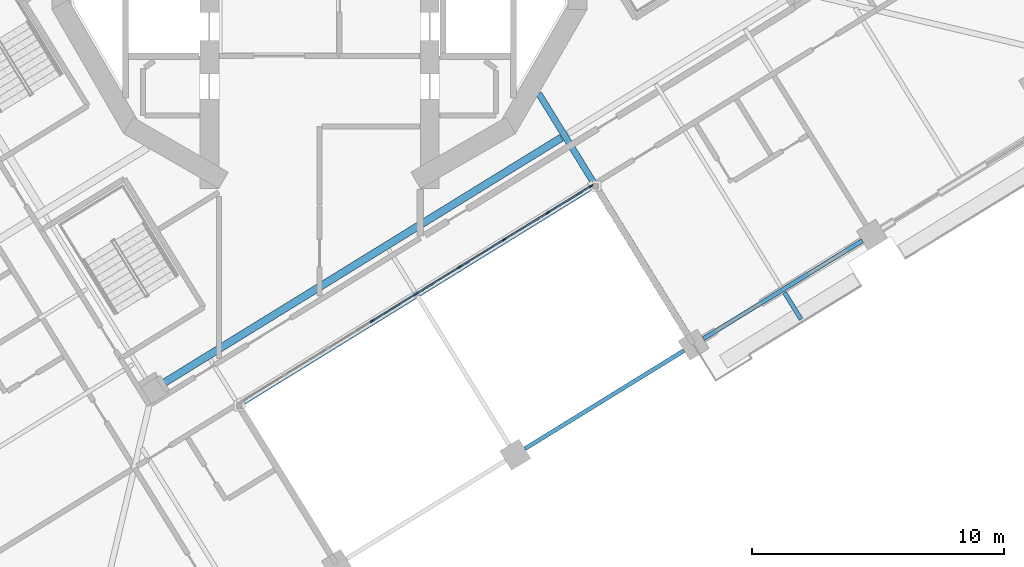
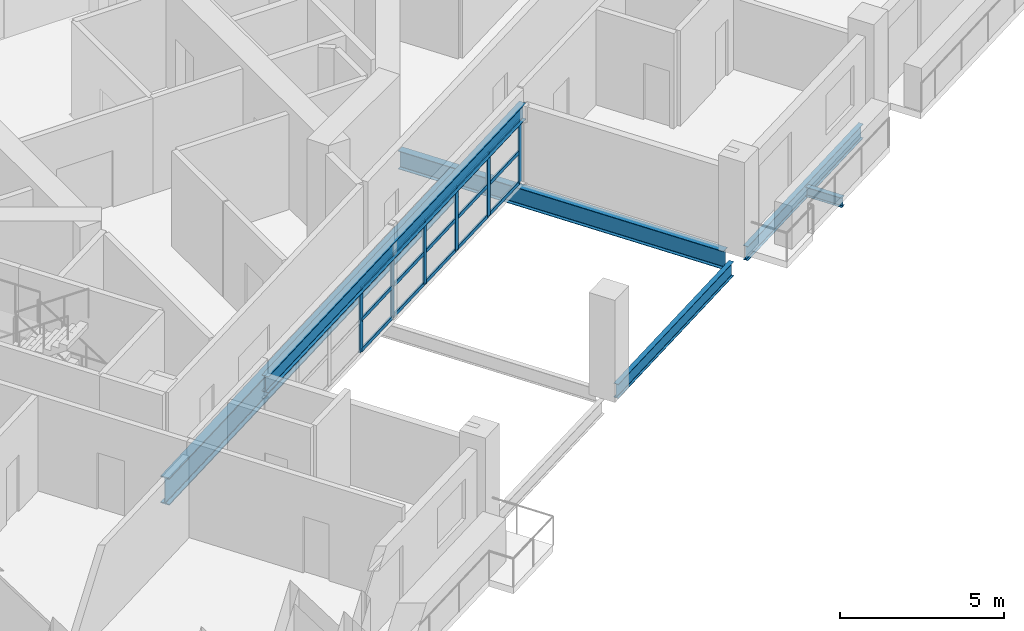
# One storey, part 4 of 22: 21 members, 6 beams, 1 element without a shape of its own.
"""IFC4 building model written with IfcOpenShell, lengths in metres."""

from ifc_helpers import new_model, si_unit, direction, frame, origin, origin_2d, place, context, subcontext, project, spatial, rectangle, i_section, extrude, material, material_profile, profile_set, type_object, element, aggregate, save


model = new_model("IFC4")

# Units and contexts
model_context = context("Model", 3, precision=1e-05, world=origin(), true_north=direction((0.0, 1.0)))
body_context = subcontext(model_context, "Body", "Model", "MODEL_VIEW")
ifc_project = project(units=[si_unit("LENGTHUNIT", "METRE"), si_unit("AREAUNIT", "SQUARE_METRE"), si_unit("VOLUMEUNIT", "CUBIC_METRE"), si_unit("PLANEANGLEUNIT", "RADIAN"), si_unit("MASSUNIT", "GRAM", prefix="KILO")], contexts=[model_context])

# Site, building, storey
site_placement = place(None, origin())
site = spatial("IfcSite", under=ifc_project, at=site_placement, CompositionType="ELEMENT")
building_placement = place(site_placement, origin())
building = spatial("IfcBuilding", under=site, at=building_placement, Name="Cantera Rosa Tower", CompositionType="ELEMENT")
storey_placement = place(building_placement, frame((0.0, 0.0, 174.199951171875)))
storey = spatial("IfcBuildingStorey", under=building, at=storey_placement, Name="L38", CompositionType="ELEMENT", Elevation=174.199951171875)

# Curtain wall, members
ifc_material_1 = material(Name="Aluminium frame with clear glass", Category="aluminium")
curtain_wall_type = type_object("IfcCurtainWallType", Name="CW1 TERRACE POCKET GLAZING", PredefinedType="NOTDEFINED", material=ifc_material_1)
curtain_wall_placement = place(storey_placement, origin())
curtain_wall = element("IfcCurtainWall", 1, at=curtain_wall_placement, inside=storey, type_object=curtain_wall_type, Name="CW1 CW1", PredefinedType="NOTDEFINED")
ifc_material_2 = material(Name="Anodised bronze aluminium", Category="aluminium")
ifc_material_profile_1 = material_profile(ifc_material_2, rectangle(XDim=0.06005859375, YDim=0.179931640625, at=origin_2d()), Name="CW-MULLION 60x180 POCKET")
ifc_profile_set_1 = profile_set([ifc_material_profile_1], Name="Anodised bronze aluminium")
member_type_1 = type_object("IfcMemberType", Name="CW-MULLION 60x180 POCKET", PredefinedType="MULLION", material=ifc_profile_set_1)
member_1_placement = place(storey_placement, frame((2.091552734375, -15.217529296875, 0.0), z_axis=(0.0, 0.0, 1.0), x_axis=(-0.524976580354, 0.851116672425, 0.0)))
member_1 = element("IfcMember", 2, at=member_1_placement, type_object=member_type_1, Name="CW1 mullion 4", PredefinedType="MULLION", context=body_context, shape_type="SweptSolid", body=[
    extrude(rectangle(XDim=0.06005859375, YDim=0.179931640625, at=origin_2d()), origin(), (0.0, 0.0, 1.0), 2.338134765625),
])
member_2_placement = place(storey_placement, frame((3.835205078125, -14.14208984375, 0.0), z_axis=(0.0, 0.0, 1.0), x_axis=(-0.524976580354, 0.851116672425, 0.0)))
member_2 = element("IfcMember", 3, at=member_2_placement, type_object=member_type_1, Name="CW1 mullion 5", PredefinedType="MULLION", context=body_context, shape_type="SweptSolid", body=[
    extrude(rectangle(XDim=0.06005859375, YDim=0.179931640625, at=origin_2d()), origin(), (0.0, 0.0, 1.0), 2.338134765625),
])
member_3_placement = place(storey_placement, frame((5.5791015625, -13.066650390625, 0.0), z_axis=(0.0, 0.0, 1.0), x_axis=(-0.524976580354, 0.851116672425, 0.0)))
member_3 = element("IfcMember", 4, at=member_3_placement, type_object=member_type_1, Name="CW1 mullion 6", PredefinedType="MULLION", context=body_context, shape_type="SweptSolid", body=[
    extrude(rectangle(XDim=0.06005859375, YDim=0.179931640625, at=origin_2d()), origin(), (0.0, 0.0, 1.0), 2.338134765625),
])
member_4_placement = place(storey_placement, frame((7.32275390625, -11.990966796875, 0.0), z_axis=(0.0, 0.0, 1.0), x_axis=(-0.524976580354, 0.851116672425, 0.0)))
member_4 = element("IfcMember", 5, at=member_4_placement, type_object=member_type_1, Name="CW1 mullion 7", PredefinedType="MULLION", context=body_context, shape_type="SweptSolid", body=[
    extrude(rectangle(XDim=0.06005859375, YDim=0.179931640625, at=origin_2d()), origin(), (0.0, 0.0, 1.0), 2.338134765625),
])
member_5_placement = place(storey_placement, frame((9.06640625, -10.91552734375, 0.0), z_axis=(0.0, 0.0, 1.0), x_axis=(-0.524976580354, 0.851116672425, 0.0)))
member_5 = element("IfcMember", 6, at=member_5_placement, type_object=member_type_1, Name="CW1 mullion 8", PredefinedType="MULLION", context=body_context, shape_type="SweptSolid", body=[
    extrude(rectangle(XDim=0.06005859375, YDim=0.179931640625, at=origin_2d()), origin(), (0.0, 0.0, 1.0), 2.338134765625),
])
member_6_placement = place(storey_placement, frame((10.78466796875, -9.855712890625, 0.0), z_axis=(0.0, 0.0, 1.0), x_axis=(-0.524976580354, 0.851116672425, 0.0)))
member_6 = element("IfcMember", 7, at=member_6_placement, type_object=member_type_1, Name="CW1 mullion 9", PredefinedType="MULLION", context=body_context, shape_type="SweptSolid", body=[
    extrude(rectangle(XDim=0.06005859375, YDim=0.179931640625, at=origin_2d()), origin(), (0.0, 0.0, 1.0), 2.338134765625),
])
ifc_material_3 = material(Name="Anodised bronze aluminium", Category="aluminium")
ifc_material_profile_2 = material_profile(ifc_material_3, rectangle(XDim=0.06005859375, YDim=0.139892578125, at=origin_2d()), Name="CW-TRANSOM 60x140 POCKET")
ifc_profile_set_2 = profile_set([ifc_material_profile_2], Name="Anodised bronze aluminium")
member_type_2 = type_object("IfcMemberType", Name="CW-TRANSOM 60x140 POCKET", PredefinedType="USERDEFINED", material=ifc_profile_set_2)
member_7_placement = place(storey_placement, frame((2.1171875, -15.201904296875, 0.030029296875), z_axis=(0.851135216516, 0.524946514615, 0.0), x_axis=(-0.524946514615, 0.851135216516, 0.0)))
member_7 = element("IfcMember", 8, at=member_7_placement, type_object=member_type_2, Name="CW1 transom 4.1", ObjectType="TRANSOM", PredefinedType="USERDEFINED", context=body_context, shape_type="SweptSolid", body=[
    extrude(rectangle(XDim=0.06005859375, YDim=0.139892578125, at=origin_2d()), origin(), (0.0, 0.0, 1.0), 1.98876953125),
])
member_8_placement = place(storey_placement, frame((2.1171875, -15.201904296875, 1.1689453125), z_axis=(0.851135216516, 0.524946514615, 0.0), x_axis=(-0.524946514615, 0.851135216516, 0.0)))
member_8 = element("IfcMember", 9, at=member_8_placement, type_object=member_type_2, Name="CW1 transom 4.2", ObjectType="TRANSOM", PredefinedType="USERDEFINED", context=body_context, shape_type="SweptSolid", body=[
    extrude(rectangle(XDim=0.06005859375, YDim=0.139892578125, at=origin_2d()), origin(), (0.0, 0.0, 1.0), 1.98876953125),
])
member_9_placement = place(storey_placement, frame((2.1171875, -15.201904296875, 2.30810546875), z_axis=(0.851135216516, 0.524946514615, 0.0), x_axis=(-0.524946514615, 0.851135216516, 0.0)))
member_9 = element("IfcMember", 10, at=member_9_placement, type_object=member_type_2, Name="CW1 transom 4.3", ObjectType="TRANSOM", PredefinedType="USERDEFINED", context=body_context, shape_type="SweptSolid", body=[
    extrude(rectangle(XDim=0.06005859375, YDim=0.139892578125, at=origin_2d()), origin(), (0.0, 0.0, 1.0), 1.98876953125),
])
member_10_placement = place(storey_placement, frame((3.86083984375, -14.126220703125, 0.030029296875), z_axis=(0.851135216516, 0.524946514615, 0.0), x_axis=(-0.524946514615, 0.851135216516, 0.0)))
member_10 = element("IfcMember", 11, at=member_10_placement, type_object=member_type_2, Name="CW1 transom 5.1", ObjectType="TRANSOM", PredefinedType="USERDEFINED", context=body_context, shape_type="SweptSolid", body=[
    extrude(rectangle(XDim=0.06005859375, YDim=0.139892578125, at=origin_2d()), origin(), (0.0, 0.0, 1.0), 1.98876953125),
])
member_11_placement = place(storey_placement, frame((3.86083984375, -14.126220703125, 1.1689453125), z_axis=(0.851135216516, 0.524946514615, 0.0), x_axis=(-0.524946514615, 0.851135216516, 0.0)))
member_11 = element("IfcMember", 12, at=member_11_placement, type_object=member_type_2, Name="CW1 transom 5.2", ObjectType="TRANSOM", PredefinedType="USERDEFINED", context=body_context, shape_type="SweptSolid", body=[
    extrude(rectangle(XDim=0.06005859375, YDim=0.139892578125, at=origin_2d()), origin(), (0.0, 0.0, 1.0), 1.98876953125),
])
member_12_placement = place(storey_placement, frame((3.86083984375, -14.126220703125, 2.30810546875), z_axis=(0.851135216516, 0.524946514615, 0.0), x_axis=(-0.524946514615, 0.851135216516, 0.0)))
member_12 = element("IfcMember", 13, at=member_12_placement, type_object=member_type_2, Name="CW1 transom 5.3", ObjectType="TRANSOM", PredefinedType="USERDEFINED", context=body_context, shape_type="SweptSolid", body=[
    extrude(rectangle(XDim=0.06005859375, YDim=0.139892578125, at=origin_2d()), origin(), (0.0, 0.0, 1.0), 1.98876953125),
])
member_13_placement = place(storey_placement, frame((5.6044921875, -13.05078125, 0.030029296875), z_axis=(0.851135216516, 0.524946514615, 0.0), x_axis=(-0.524946514615, 0.851135216516, 0.0)))
member_13 = element("IfcMember", 14, at=member_13_placement, type_object=member_type_2, Name="CW1 transom 6.1", ObjectType="TRANSOM", PredefinedType="USERDEFINED", context=body_context, shape_type="SweptSolid", body=[
    extrude(rectangle(XDim=0.06005859375, YDim=0.139892578125, at=origin_2d()), origin(), (0.0, 0.0, 1.0), 1.98876953125),
])
member_14_placement = place(storey_placement, frame((5.6044921875, -13.05078125, 1.1689453125), z_axis=(0.851135216516, 0.524946514615, 0.0), x_axis=(-0.524946514615, 0.851135216516, 0.0)))
member_14 = element("IfcMember", 15, at=member_14_placement, type_object=member_type_2, Name="CW1 transom 6.2", ObjectType="TRANSOM", PredefinedType="USERDEFINED", context=body_context, shape_type="SweptSolid", body=[
    extrude(rectangle(XDim=0.06005859375, YDim=0.139892578125, at=origin_2d()), origin(), (0.0, 0.0, 1.0), 1.98876953125),
])
member_15_placement = place(storey_placement, frame((5.6044921875, -13.05078125, 2.30810546875), z_axis=(0.851135216516, 0.524946514615, 0.0), x_axis=(-0.524946514615, 0.851135216516, 0.0)))
member_15 = element("IfcMember", 16, at=member_15_placement, type_object=member_type_2, Name="CW1 transom 6.3", ObjectType="TRANSOM", PredefinedType="USERDEFINED", context=body_context, shape_type="SweptSolid", body=[
    extrude(rectangle(XDim=0.06005859375, YDim=0.139892578125, at=origin_2d()), origin(), (0.0, 0.0, 1.0), 1.98876953125),
])
member_16_placement = place(storey_placement, frame((7.34814453125, -11.975341796875, 0.030029296875), z_axis=(0.851114197999, 0.524980591988, 0.0), x_axis=(-0.524980591988, 0.851114197999, 0.0)))
member_16 = element("IfcMember", 17, at=member_16_placement, type_object=member_type_2, Name="CW1 transom 7.1", ObjectType="TRANSOM", PredefinedType="USERDEFINED", context=body_context, shape_type="SweptSolid", body=[
    extrude(rectangle(XDim=0.06005859375, YDim=0.139892578125, at=origin_2d()), origin(), (0.0, 0.0, 1.0), 1.989013671875),
])
member_17_placement = place(storey_placement, frame((7.34814453125, -11.975341796875, 1.1689453125), z_axis=(0.851114197999, 0.524980591988, 0.0), x_axis=(-0.524980591988, 0.851114197999, 0.0)))
member_17 = element("IfcMember", 18, at=member_17_placement, type_object=member_type_2, Name="CW1 transom 7.2", ObjectType="TRANSOM", PredefinedType="USERDEFINED", context=body_context, shape_type="SweptSolid", body=[
    extrude(rectangle(XDim=0.06005859375, YDim=0.139892578125, at=origin_2d()), origin(), (0.0, 0.0, 1.0), 1.989013671875),
])
member_18_placement = place(storey_placement, frame((7.34814453125, -11.975341796875, 2.30810546875), z_axis=(0.851114197999, 0.524980591988, 0.0), x_axis=(-0.524980591988, 0.851114197999, 0.0)))
member_18 = element("IfcMember", 19, at=member_18_placement, type_object=member_type_2, Name="CW1 transom 7.3", ObjectType="TRANSOM", PredefinedType="USERDEFINED", context=body_context, shape_type="SweptSolid", body=[
    extrude(rectangle(XDim=0.06005859375, YDim=0.139892578125, at=origin_2d()), origin(), (0.0, 0.0, 1.0), 1.989013671875),
])
member_19_placement = place(storey_placement, frame((9.092041015625, -10.899658203125, 0.030029296875), z_axis=(0.851092896091, 0.525015125708, 0.0), x_axis=(-0.525015125708, 0.851092896091, 0.0)))
member_19 = element("IfcMember", 20, at=member_19_placement, type_object=member_type_2, Name="CW1 transom 8.1", ObjectType="TRANSOM", PredefinedType="USERDEFINED", context=body_context, shape_type="SweptSolid", body=[
    extrude(rectangle(XDim=0.06005859375, YDim=0.139892578125, at=origin_2d()), origin(), (0.0, 0.0, 1.0), 1.958740234375),
])
member_20_placement = place(storey_placement, frame((9.092041015625, -10.899658203125, 1.1689453125), z_axis=(0.851092896091, 0.525015125708, 0.0), x_axis=(-0.525015125708, 0.851092896091, 0.0)))
member_20 = element("IfcMember", 21, at=member_20_placement, type_object=member_type_2, Name="CW1 transom 8.2", ObjectType="TRANSOM", PredefinedType="USERDEFINED", context=body_context, shape_type="SweptSolid", body=[
    extrude(rectangle(XDim=0.06005859375, YDim=0.139892578125, at=origin_2d()), origin(), (0.0, 0.0, 1.0), 1.958740234375),
])
member_21_placement = place(storey_placement, frame((9.092041015625, -10.899658203125, 2.30810546875), z_axis=(0.851092896091, 0.525015125708, 0.0), x_axis=(-0.525015125708, 0.851092896091, 0.0)))
member_21 = element("IfcMember", 22, at=member_21_placement, type_object=member_type_2, Name="CW1 transom 8.3", ObjectType="TRANSOM", PredefinedType="USERDEFINED", context=body_context, shape_type="SweptSolid", body=[
    extrude(rectangle(XDim=0.06005859375, YDim=0.139892578125, at=origin_2d()), origin(), (0.0, 0.0, 1.0), 1.958740234375),
])
aggregate(curtain_wall, [member_1, member_2, member_3, member_4, member_5, member_6, member_7, member_8, member_9, member_10, member_11, member_12, member_13, member_14, member_15, member_16, member_17, member_18, member_19, member_20, member_21])

# Beams
ifc_material_4 = material(Name="Steel ASTM A992 (Fy 345 MPa)", Category="steel")
ifc_material_profile_3 = material_profile(ifc_material_4, i_section(OverallWidth=0.302001953125, OverallDepth=1.010009765625, WebThickness=0.02099609375, FlangeThickness=0.0400390625, FilletRadius=0.030029296875, at=origin_2d()), Name="W1000X350")
ifc_profile_set_3 = profile_set([ifc_material_profile_3], Name="Steel ASTM A992 (Fy 345 MPa)")
beam_type_1 = type_object("IfcBeamType", Name="STEEL BEAM W1000X350", PredefinedType="BEAM", material=ifc_profile_set_3)
beam_1_placement = place(storey_placement, frame((-6.231689453125, -17.707763671875, -0.7548828125), z_axis=(0.851118702028, 0.524973289852, 0.0), x_axis=(-0.524973289852, 0.851118702028, 0.0)))
element("IfcBeam", 23, at=beam_1_placement, inside=storey, type_object=beam_type_1, Name="RB-Z3-03 L38", PredefinedType="BEAM", context=body_context, shape_type="SweptSolid", body=[
    extrude(i_section(OverallWidth=0.302001953125, OverallDepth=1.010009765625, WebThickness=0.02099609375, FlangeThickness=0.0400390625, FilletRadius=0.030029296875, at=origin_2d()), origin(), (0.0, 0.0, 1.0), 18.610107421875),
])
ifc_material_5 = material(Name="Steel ASTM A992 (Fy 345 MPa)", Category="steel")
ifc_material_profile_4 = material_profile(ifc_material_5, i_section(OverallWidth=0.22802734375, OverallDepth=0.60205078125, WebThickness=0.010498046875, FlangeThickness=0.014892578125, FilletRadius=0.0126953125, at=origin_2d()), Name="W610X101")
ifc_profile_set_4 = profile_set([ifc_material_profile_4], Name="Steel ASTM A992 (Fy 345 MPa)")
beam_type_2 = type_object("IfcBeamType", Name="STEEL BEAM W610X101", PredefinedType="BEAM", material=ifc_profile_set_4)
beam_2_placement = place(storey_placement, frame((-3.17724609375, -18.526123046875, 2.64111328125), z_axis=(0.851119648032, 0.524971756129, 0.0), x_axis=(-0.524971756129, 0.851119648032, 0.0)))
element("IfcBeam", 24, at=beam_2_placement, inside=storey, type_object=beam_type_2, Name="LINTEL SL-L38", PredefinedType="BEAM", context=body_context, shape_type="SweptSolid", body=[
    extrude(i_section(OverallWidth=0.22802734375, OverallDepth=0.60205078125, WebThickness=0.010498046875, FlangeThickness=0.014892578125, FilletRadius=0.0126953125, at=origin_2d()), origin(), (0.0, 0.0, 1.0), 16.5400390625),
])
ifc_material_6 = material(Name="Steel ASTM A992 (Fy 345 MPa)", Category="steel")
ifc_material_profile_5 = material_profile(ifc_material_6, i_section(OverallWidth=0.25390625, OverallDepth=0.677978515625, WebThickness=0.01171875, FlangeThickness=0.016357421875, FilletRadius=0.01513671875, at=origin_2d()), Name="W690X125")
ifc_profile_set_5 = profile_set([ifc_material_profile_5], Name="Steel ASTM A992 (Fy 345 MPa)")
beam_type_3 = type_object("IfcBeamType", Name="STEEL BEAM W690X125", PredefinedType="BEAM", material=ifc_profile_set_5)
beam_3_placement = place(storey_placement, frame((14.61767578125, -15.774658203125, -0.5888671875), z_axis=(-0.524984160378, 0.85111199695, 0.0), x_axis=(-0.85111199695, -0.524984160378, 0.0)))
element("IfcBeam", 25, at=beam_3_placement, inside=storey, type_object=beam_type_3, Name="G-Z3-11 L38", PredefinedType="BEAM", context=body_context, shape_type="SweptSolid", body=[
    extrude(i_section(OverallWidth=0.25390625, OverallDepth=0.677978515625, WebThickness=0.01171875, FlangeThickness=0.016357421875, FilletRadius=0.01513671875, at=origin_2d()), origin(), (0.0, 0.0, 1.0), 11.271728515625),
])
ifc_material_7 = material(Name="Steel ASTM A992 (Fy 345 MPa)", Category="steel")
ifc_material_profile_6 = material_profile(ifc_material_7, i_section(OverallWidth=0.1708984375, OverallDepth=0.35595703125, WebThickness=0.00732421875, FlangeThickness=0.01171875, FilletRadius=0.010009765625, at=origin_2d()), Name="W360X51")
ifc_profile_set_6 = profile_set([ifc_material_profile_6], Name="Steel ASTM A992 (Fy 345 MPa)")
beam_type_4 = type_object("IfcBeamType", Name="STEEL JOIST W360X51", PredefinedType="JOIST", material=ifc_profile_set_6)
beam_4_placement = place(storey_placement, frame((18.462890625, -14.08447265625, -0.427978515625), z_axis=(0.524968880559, -0.851121421681, 0.0), x_axis=(0.851121421681, 0.524968880559, 0.0)))
element("IfcBeam", 26, at=beam_4_placement, inside=storey, type_object=beam_type_4, Name="BS-Z3-20 L38", PredefinedType="JOIST", context=body_context, shape_type="SweptSolid", body=[
    extrude(i_section(OverallWidth=0.1708984375, OverallDepth=0.35595703125, WebThickness=0.00732421875, FlangeThickness=0.01171875, FilletRadius=0.010009765625, at=origin_2d()), origin(), (0.0, 0.0, 1.0), 1.25),
])
ifc_material_8 = material(Name="Steel ASTM A992 (Fy 345 MPa)", Category="steel")
ifc_material_profile_7 = material_profile(ifc_material_8, i_section(OverallWidth=0.166015625, OverallDepth=0.528076171875, WebThickness=0.009765625, FlangeThickness=0.013671875, FilletRadius=0.0126953125, at=origin_2d()), Name="W530X74")
ifc_profile_set_7 = profile_set([ifc_material_profile_7], Name="Steel ASTM A992 (Fy 345 MPa)")
beam_type_5 = type_object("IfcBeamType", Name="STEEL SPANDREL BEAM W530X74", PredefinedType="SPANDREL", material=ifc_profile_set_7)
for number, where, z_axis, x_axis, name in (
    (27, (8.155517578125, -20.289306640625, -0.513916015625), (0.851111085575, 0.524985637909, 0.0), (-0.524985637909, 0.851111085575, 0.0), "EB-Z3-24 L38"),
    (28, (15.23681640625, -15.92138671875, -0.513916015625), (0.85112578684, 0.524961803349, 0.0), (-0.524961803349, 0.85112578684, 0.0), "EB-Z3-25 L38"),
):
    element("IfcBeam", number, at=place(storey_placement, frame(where, z_axis=z_axis, x_axis=x_axis)), inside=storey, type_object=beam_type_5, Name=name, PredefinedType="SPANDREL", context=body_context, shape_type="SweptSolid", body=[
        extrude(i_section(OverallWidth=0.166015625, OverallDepth=0.528076171875, WebThickness=0.009765625, FlangeThickness=0.013671875, FilletRadius=0.0126953125, at=origin_2d()), origin(), (0.0, 0.0, 1.0), 7.420166015625),
    ])

save(model, "model.ifc")
